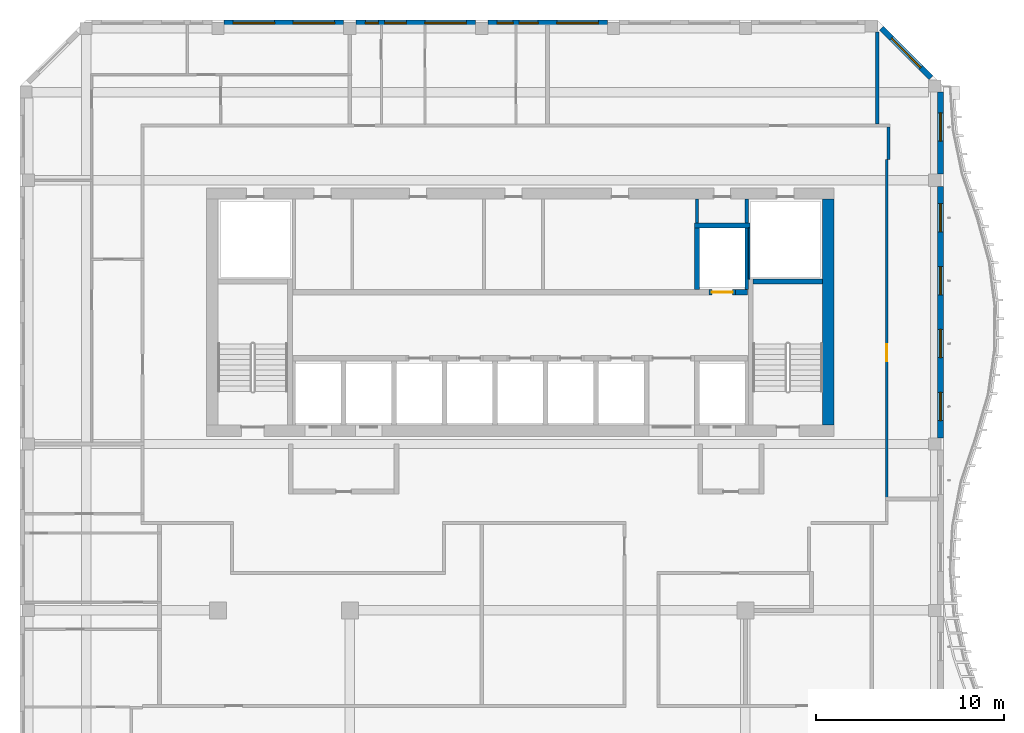
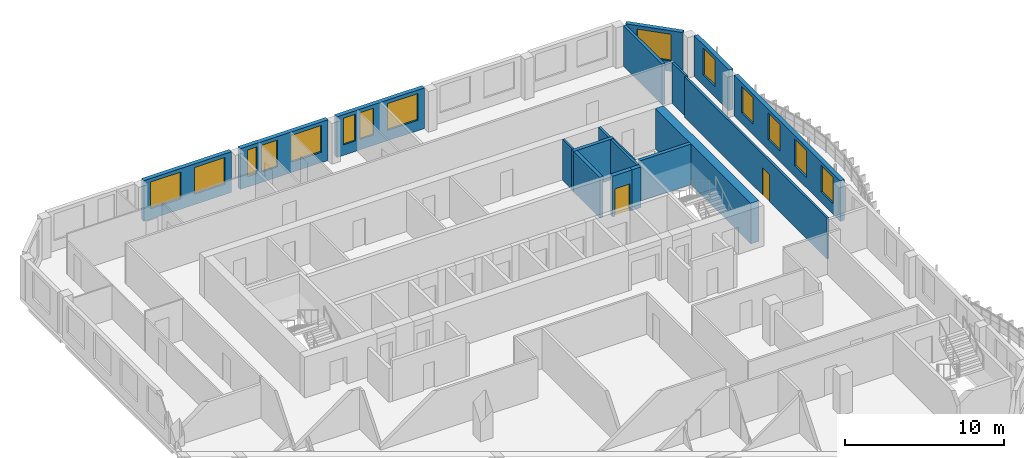
# One storey, part 8 of 18: 19 walls, 14 windows, 2 doors, 16 openings.
"""IFC4 building model written with IfcOpenShell, lengths in metres."""

import ifcopenshell
import ifcopenshell.guid

model = None  # the IFC model being written
_history = None  # IfcOwnerHistory: only IFC2X3 demands one
_inside = {}  # id of a spatial element -> (the spatial element, [elements in it])
_under = {}  # id of a project, library or spatial element -> (it, [spatial elements below it])
_declared = {}  # id of a project -> (the project, [libraries it declares])
_typed = {}  # id of a type object -> (the type object, [elements of that type])
_made_of = {}  # id of a material, layer set ... -> (it, [elements and type objects made of it])


def new_model(schema):
    """Start an empty IFC model of exactly this schema.

    Asked for "IFC4X3", IfcOpenShell would pick the latest addendum, in which some entities
    have other attributes; the version numbers below select the first issue.
    IFC2X3 requires an IfcOwnerHistory on every rooted entity: one is made here for all.
    """
    global model, _history
    if schema == "IFC4X3":
        model = ifcopenshell.file(schema_version=(4, 3, 0, 0))
    else:
        model = ifcopenshell.file(schema=schema)
    _inside.clear()
    _under.clear()
    _declared.clear()
    _typed.clear()
    _made_of.clear()
    _history = None
    if model.schema == "IFC2X3":
        org = make("IfcOrganization", Name="unknown")
        user = make(
            "IfcPersonAndOrganization",
            ThePerson=make("IfcPerson", FamilyName="unknown"),
            TheOrganization=org,
        )
        app = make(
            "IfcApplication",
            ApplicationDeveloper=org,
            Version="unknown",
            ApplicationFullName="unknown",
            ApplicationIdentifier="unknown",
        )
        _history = make(
            "IfcOwnerHistory",
            OwningUser=user,
            OwningApplication=app,
            ChangeAction="ADDED",
            CreationDate=0,
        )
    return model


def make(cls, **values):
    """One entity of the class cls with the attributes given. An attribute that is None is left unset."""
    return model.create_entity(
        cls, **{name: value for name, value in values.items() if value is not None}
    )


def rooted(cls, **values):
    """An entity with a GlobalId (a new one), such as an element, a storey or a relation."""
    return make(cls, GlobalId=ifcopenshell.guid.new(), OwnerHistory=_history, **values)


def si_unit(unit_type, name, prefix=None):
    """IfcSIUnit, for example si_unit("LENGTHUNIT", "METRE", prefix="MILLI")."""
    return make("IfcSIUnit", UnitType=unit_type, Prefix=prefix, Name=name)


def assignment(units):
    """IfcUnitAssignment: the units of a project."""
    return None if units is None else make("IfcUnitAssignment", Units=units)


def point(xyz):
    """IfcCartesianPoint."""
    return None if xyz is None else make("IfcCartesianPoint", Coordinates=xyz)


def direction(xyz):
    """IfcDirection."""
    return None if xyz is None else make("IfcDirection", DirectionRatios=xyz)


def frame(location, z_axis=None, x_axis=None):
    """IfcAxis2Placement3D, a coordinate frame: its origin and axes. An axis left out is left unset."""
    return make(
        "IfcAxis2Placement3D",
        Location=point(location),
        Axis=direction(z_axis),
        RefDirection=direction(x_axis),
    )


def frame_2d(location, x_axis=None):
    """IfcAxis2Placement2D, a coordinate frame in the plane: its origin and x axis."""
    return make(
        "IfcAxis2Placement2D", Location=point(location), RefDirection=direction(x_axis)
    )


def origin():
    """The frame at (0, 0, 0) with its axes left unset."""
    return frame((0.0, 0.0, 0.0))


def place(relative_to, where):
    """IfcLocalPlacement: puts the frame where relative to a parent placement (None: the world)."""
    return make(
        "IfcLocalPlacement", PlacementRelTo=relative_to, RelativePlacement=where
    )


def context(
    kind, dimensions, precision=None, world=None, true_north=None, identifier=None
):
    """IfcGeometricRepresentationContext, for example the 3D "Model" context."""
    return make(
        "IfcGeometricRepresentationContext",
        ContextIdentifier=identifier,
        ContextType=kind,
        CoordinateSpaceDimension=dimensions,
        Precision=precision,
        WorldCoordinateSystem=world,
        TrueNorth=true_north,
    )


def subcontext(parent, identifier, kind, view, scale=None):
    """IfcGeometricRepresentationSubContext, for example "Body" below "Model"."""
    return make(
        "IfcGeometricRepresentationSubContext",
        ContextIdentifier=identifier,
        ContextType=kind,
        ParentContext=parent,
        TargetScale=scale,
        TargetView=view,
    )


def project(units=None, contexts=None):
    """IfcProject with its units and contexts."""
    return rooted(
        "IfcProject",
        Name="project",
        RepresentationContexts=contexts,
        UnitsInContext=assignment(units),
    )


def spatial(cls, under=None, at=None, **own):
    """A site, building, storey or space (cls), placed at a placement, below another one or the project."""
    s = rooted(cls, ObjectPlacement=at, **own)
    if under is not None:
        _under.setdefault(under.id(), (under, []))[1].append(s)
    return s


def profile(cls, at=None, kind="AREA", **sizes):
    """A parametric profile (cls). Its sizes go by their IFC names, for example OverallWidth=200.0."""
    return make(cls, ProfileType=kind, Position=at, **sizes)


def rectangle(**sizes):
    """IfcRectangleProfileDef."""
    return profile("IfcRectangleProfileDef", **sizes)


def extrude(swept, where, along, depth):
    """IfcExtrudedAreaSolid: the profile swept, set in the frame where, extruded along a direction by depth."""
    return make(
        "IfcExtrudedAreaSolid",
        SweptArea=swept,
        Position=where,
        ExtrudedDirection=direction(along),
        Depth=depth,
    )


def shape(context_of_items, identifier, shape_type, items):
    """IfcShapeRepresentation: the items that make up one representation, for example the "Body"."""
    return make(
        "IfcShapeRepresentation",
        ContextOfItems=context_of_items,
        RepresentationIdentifier=identifier,
        RepresentationType=shape_type,
        Items=items,
    )


def source(mapping_origin, context_of_items, identifier, shape_type, items):
    """IfcRepresentationMap: a shape defined once, which mapped items show again and again."""
    return make(
        "IfcRepresentationMap",
        MappingOrigin=mapping_origin,
        MappedRepresentation=shape(context_of_items, identifier, shape_type, items),
    )


def transform(
    local_origin,
    x_axis=None,
    y_axis=None,
    z_axis=None,
    scale=None,
    scale2=None,
    scale3=None,
    uniform=True,
):
    """IfcCartesianTransformationOperator3D, or its non-uniform kind. x_axis, y_axis, z_axis: its Axis1, 2, 3."""
    if uniform:
        return make(
            "IfcCartesianTransformationOperator3D",
            Axis1=direction(x_axis),
            Axis2=direction(y_axis),
            LocalOrigin=point(local_origin),
            Scale=scale,
            Axis3=direction(z_axis),
        )
    return make(
        "IfcCartesianTransformationOperator3DnonUniform",
        Axis1=direction(x_axis),
        Axis2=direction(y_axis),
        LocalOrigin=point(local_origin),
        Scale=scale,
        Axis3=direction(z_axis),
        Scale2=scale2,
        Scale3=scale3,
    )


def mapped(mapping_source, mapping_target):
    """IfcMappedItem: shows the shape of a source again, moved by a transform."""
    return make(
        "IfcMappedItem", MappingSource=mapping_source, MappingTarget=mapping_target
    )


def material(Name=None, Category=None):
    """IfcMaterial."""
    return make("IfcMaterial", Name=Name, Category=Category)


def layer(
    of_material, thickness, ventilated=None, Name=None, Category=None, Priority=None
):
    """IfcMaterialLayer: one layer of a wall or slab, of a material (None: an air gap)."""
    return make(
        "IfcMaterialLayer",
        Material=of_material,
        LayerThickness=thickness,
        IsVentilated=ventilated,
        Name=Name,
        Category=Category,
        Priority=Priority,
    )


def layer_set(layers, Name=None):
    """IfcMaterialLayerSet."""
    return make("IfcMaterialLayerSet", MaterialLayers=layers, LayerSetName=Name)


def made_of(thing, what):
    """Note that an element or type object is made of a material, layer set ...; save() writes the relation."""
    if what is not None:
        _made_of.setdefault(what.id(), (what, []))[1].append(thing)
    return thing


def type_object(cls, material=None, **own):
    """A type object (cls), such as IfcWallType, which elements share."""
    return made_of(rooted(cls, **own), material)


def element(
    cls,
    number,
    at=None,
    inside=None,
    cuts=None,
    type_object=None,
    material=None,
    context=None,
    identifier="Body",
    shape_type=None,
    held_by="IfcProductDefinitionShape",
    body=None,
    shapes=None,
    **own,
):
    """One element of the class cls, such as IfcWall. Its Tag is "e" and its number.

    at: its placement. inside: the storey or other place that contains it. cuts: it is an
    opening in that element (IfcRelVoidsElement). A single representation is given by context,
    identifier, shape_type and body (its items); several are given by shapes. held_by: the class
    of the entity that holds the representations. save() writes the other relations.
    """
    e = rooted(cls, Tag="e%d" % number, ObjectPlacement=at, **own)
    if body is not None:
        shapes = [shape(context, identifier, shape_type, body)]
    if shapes is not None:
        e.Representation = make(held_by, Representations=shapes)
    if inside is not None:
        _inside.setdefault(inside.id(), (inside, []))[1].append(e)
    if cuts is not None:
        rooted(
            "IfcRelVoidsElement", RelatingBuildingElement=cuts, RelatedOpeningElement=e
        )
    if type_object is not None:
        _typed.setdefault(type_object.id(), (type_object, []))[1].append(e)
    return made_of(e, material)


def fill(opening, filler):
    """IfcRelFillsElement: the door or window that sits in an opening."""
    return rooted(
        "IfcRelFillsElement",
        RelatingOpeningElement=opening,
        RelatedBuildingElement=filler,
    )


def aggregate(whole, parts):
    """IfcRelAggregates: a whole, such as a stair, and the parts it consists of."""
    return rooted("IfcRelAggregates", RelatingObject=whole, RelatedObjects=parts)


def save(model, path):
    """Write the relations noted so far, then the file.

    IfcRelAggregates (storeys below a building ...), IfcRelContainedInSpatialStructure (elements
    in a storey), IfcRelDefinesByType, IfcRelAssociatesMaterial and IfcRelDeclares: one each for
    every whole, place, type object, material and project.
    """
    for whole, parts in _under.values():
        aggregate(whole, parts)
    for where, things in _inside.values():
        rooted(
            "IfcRelContainedInSpatialStructure",
            RelatedElements=things,
            RelatingStructure=where,
        )
    for kind, things in _typed.values():
        rooted("IfcRelDefinesByType", RelatedObjects=things, RelatingType=kind)
    for what, things in _made_of.values():
        rooted("IfcRelAssociatesMaterial", RelatedObjects=things, RelatingMaterial=what)
    for by, libraries in _declared.values():
        rooted("IfcRelDeclares", RelatingContext=by, RelatedDefinitions=libraries)
    model.write(path)


model = new_model("IFC4")

# Units and contexts
model_context = context("Model", 3, precision=1e-05, world=origin(), true_north=direction((0.0, 1.0)))
body_context = subcontext(model_context, "Body", "Model", "MODEL_VIEW")
ifc_project = project(units=[si_unit("LENGTHUNIT", "METRE"), si_unit("AREAUNIT", "SQUARE_METRE"), si_unit("VOLUMEUNIT", "CUBIC_METRE"), si_unit("PLANEANGLEUNIT", "RADIAN"), si_unit("MASSUNIT", "GRAM", prefix="KILO")], contexts=[model_context])

# Site, building, storey
site_placement = place(None, origin())
site = spatial("IfcSite", under=ifc_project, at=site_placement, CompositionType="ELEMENT")
building_placement = place(site_placement, origin())
building = spatial("IfcBuilding", under=site, at=building_placement, Name="Kilnfold Tower and Market Hall", CompositionType="ELEMENT")
storey_placement = place(building_placement, frame((0.0, 0.0, 277.199951171875)))
storey = spatial("IfcBuildingStorey", under=building, at=storey_placement, Name="L68", CompositionType="ELEMENT", Elevation=277.199951171875)

# Wall
ifc_material_1 = material(Name="Gypsum board on steel studs", Category="steel")
ifc_layer_1 = layer(ifc_material_1, 0.14990234375)
ifc_layer_set_1 = layer_set([ifc_layer_1], Name="Gypsum board on steel studs")
wall_type_1 = type_object("IfcWallType", Name="WALL CORRIDOR 150", PredefinedType="PARTITIONING", material=ifc_layer_set_1)
wall_1_placement = place(storey_placement, frame((20.60009765625, 23.10009765625, 0.0), z_axis=(0.0, 0.0, 1.0), x_axis=(0.0, 1.0, 0.0)))
element("IfcWall", 1, at=wall_1_placement, inside=storey, type_object=wall_type_1, Name="Partition LY42.18", PredefinedType="PARTITIONING", context=body_context, shape_type="SweptSolid", body=[
    extrude(rectangle(XDim=1.724853515625, YDim=0.14990234375, at=frame_2d((0.8623046875, 0.0))), origin(), (0.0, 0.0, 1.0), 3.1201171875),
])

# Wall, opening, door
wall_2_placement = place(storey_placement, frame((20.5, 5.173095703125, 0.0), z_axis=(0.0, 0.0, 1.0), x_axis=(0.0, 1.0, 0.0)))
wall_2 = element("IfcWall", 2, at=wall_2_placement, inside=storey, type_object=wall_type_1, Name="Partition LY42.19", PredefinedType="PARTITIONING", context=body_context, shape_type="SweptSolid", body=[
    extrude(rectangle(XDim=17.927001953125, YDim=0.14990234375, at=frame_2d((8.96337890625, 0.0))), origin(), (0.0, 0.0, 1.0), 3.1201171875),
])
opening_1_placement = place(wall_2_placement, frame((7.2109375, 0.0, 0.0)))
opening_1 = element("IfcOpeningElement", 3, at=opening_1_placement, cuts=wall_2, Name="Opening D2", PredefinedType="OPENING", context=body_context, shape_type="SweptSolid", body=[
    extrude(rectangle(XDim=0.89990234375, YDim=2.10009765625, at=frame_2d((0.449951171875, 1.050048828125))), frame((0.0, 0.0849609375, 0.0), z_axis=(0.0, -1.0, 0.0), x_axis=(1.0, 0.0, 0.0)), (0.0, 0.0, 1.0), 0.169921875),
])
ifc_material_2 = material(Name="Timber veneer door leaf in steel frame", Category="steel")
door_type_1 = type_object("IfcDoorType", Name="DOOR ROOM 900 X2100", OperationType="NOTDEFINED", PredefinedType="DOOR", material=ifc_material_2)
door_1_placement = place(opening_1_placement, origin())
door_1 = element("IfcDoor", 4, at=door_1_placement, inside=storey, type_object=door_type_1, Name="Door D2", OperationType="SINGLE_SWING_LEFT", OverallHeight=2.10009765625, OverallWidth=0.89990234375, PredefinedType="DOOR", context=body_context, shape_type="SweptSolid", body=[
    extrude(rectangle(XDim=0.89990234375, YDim=2.10009765625, at=frame_2d((0.449951171875, 1.050048828125))), frame((0.0, 0.02490234375, 0.0), z_axis=(0.0, -1.0, 0.0), x_axis=(1.0, 0.0, 0.0)), (0.0, 0.0, 1.0), 0.050048828125),
])
fill(opening_1, door_1)

# Walls
ifc_material_3 = material(Name="Gypsum board on steel studs", Category="steel")
ifc_layer_2 = layer(ifc_material_3, 0.199951171875)
ifc_layer_set_2 = layer_set([ifc_layer_2], Name="Gypsum board on steel studs")
wall_type_2 = type_object("IfcWallType", Name="WALL PARTY 200", PredefinedType="PARTITIONING", material=ifc_layer_set_2)
wall_3_placement = place(storey_placement, frame((20.0, 29.85693359375, 0.0), z_axis=(0.0, 0.0, 1.0), x_axis=(0.0, -1.0, 0.0)))
element("IfcWall", 5, at=wall_3_placement, inside=storey, type_object=wall_type_2, Name="Partition LY42.64", PredefinedType="PARTITIONING", context=body_context, shape_type="SweptSolid", body=[
    extrude(rectangle(XDim=4.8798828125, YDim=0.199951171875, at=frame_2d((2.43994140625, 0.0))), origin(), (0.0, 0.0, 1.0), 3.1201171875),
])
ifc_material_4 = material(Name="Concrete C50", Category="concrete")
ifc_layer_3 = layer(ifc_material_4, 0.25)
ifc_layer_set_3 = layer_set([ifc_layer_3], Name="Concrete C50")
wall_type_3 = type_object("IfcWallType", Name="CORE WALL 250 C50", PredefinedType="SHEAR", material=ifc_layer_set_3)
shared_shape_1 = source(origin(), body_context, "Body", "SweptSolid", [
    extrude(rectangle(XDim=3.7001953125, YDim=0.25, at=frame_2d((1.85009765625, 0.0))), origin(), (0.0, 0.0, 1.0), 3.1201171875),
])
wall_4_placement = place(storey_placement, frame((13.39990234375, 16.625, 0.0), z_axis=(0.0, 0.0, 1.0), x_axis=(1.0, 0.0, 0.0)))
element("IfcWall", 6, at=wall_4_placement, inside=storey, type_object=wall_type_3, Name="Stair enclosure ST2", PredefinedType="SHEAR", context=body_context, shape_type="MappedRepresentation", body=[
    mapped(shared_shape_1, transform((0.0, 0.0, 0.0))),
])
ifc_material_5 = material(Name="Concrete C50", Category="concrete")
ifc_layer_4 = layer(ifc_material_5, 0.300048828125)
ifc_layer_set_4 = layer_set([ifc_layer_4], Name="Concrete C50")
wall_type_4 = type_object("IfcWallType", Name="CORE WALL 300 C50", PredefinedType="SHEAR", material=ifc_layer_set_4)
shared_shape_2 = source(origin(), body_context, "Body", "SweptSolid", [
    extrude(rectangle(XDim=0.64013671875, YDim=0.300048828125, at=frame_2d((0.320068359375, 0.0))), origin(), (0.0, 0.0, 1.0), 3.1201171875),
])
wall_5_placement = place(storey_placement, frame((12.469970703125, 16.050048828125, 0.0), z_axis=(0.0, 0.0, 1.0), x_axis=(1.0, 0.0, 0.0)))
element("IfcWall", 7, at=wall_5_placement, inside=storey, type_object=wall_type_4, Name="Core spine wall", PredefinedType="SHEAR", context=body_context, shape_type="MappedRepresentation", body=[
    mapped(shared_shape_2, transform((0.0, 0.0, 0.0))),
])
ifc_material_6 = material(Name="Concrete C50", Category="concrete")
ifc_layer_5 = layer(ifc_material_6, 0.60009765625)
ifc_layer_set_5 = layer_set([ifc_layer_5], Name="Concrete C50")
wall_type_5 = type_object("IfcWallType", Name="CORE WALL 600 C50", PredefinedType="SHEAR", material=ifc_layer_set_5)
shared_shape_3 = source(origin(), body_context, "Body", "SweptSolid", [
    extrude(rectangle(XDim=12.0, YDim=0.60009765625, at=frame_2d((6.0, 0.0))), origin(), (0.0, 0.0, 1.0), 3.1201171875),
])
wall_6_placement = place(storey_placement, frame((17.39990234375, 9.0, 0.0), z_axis=(0.0, 0.0, 1.0), x_axis=(0.0, 1.0, 0.0)))
element("IfcWall", 8, at=wall_6_placement, inside=storey, type_object=wall_type_5, Name="Core outer wall east", PredefinedType="SHEAR", context=body_context, shape_type="MappedRepresentation", body=[
    mapped(shared_shape_3, transform((0.0, 0.0, 0.0))),
])

# Wall, openings, windows
ifc_material_7 = material(Name="Precast concrete C50/60", Category="concrete")
ifc_layer_6 = layer(ifc_material_7, 0.300048828125)
ifc_layer_set_6 = layer_set([ifc_layer_6], Name="Precast concrete C50/60")
wall_type_6 = type_object("IfcWallType", Name="PRECAST WALL 300", PredefinedType="SOLIDWALL", material=ifc_layer_set_6)
shared_shape_4 = source(origin(), body_context, "Body", "SweptSolid", [
    extrude(rectangle(XDim=6.35009765625, YDim=0.300048828125, at=frame_2d((3.175048828125, 0.0))), origin(), (0.0, 0.0, 1.0), 3.1201171875),
])
wall_7_placement = place(storey_placement, frame((5.675048828125, 30.35009765625, 0.0), z_axis=(0.0, 0.0, 1.0), x_axis=(-1.0, 0.0, 0.0)))
wall_7 = element("IfcWall", 9, at=wall_7_placement, inside=storey, type_object=wall_type_6, Name="External wall L68 N", PredefinedType="SOLIDWALL", context=body_context, shape_type="MappedRepresentation", body=[
    mapped(shared_shape_4, transform((0.0, 0.0, 0.0))),
])
opening_2_placement = place(wall_7_placement, frame((0.487548828125, 0.0, 0.800048828125)))
opening_2 = element("IfcOpeningElement", 10, at=opening_2_placement, cuts=wall_7, Name="Opening W3", PredefinedType="OPENING", context=body_context, shape_type="SweptSolid", body=[
    extrude(rectangle(XDim=2.199951171875, YDim=2.050048828125, at=frame_2d((1.10009765625, 1.02490234375))), frame((0.0, 0.16015625, 0.0), z_axis=(0.0, -1.0, 0.0), x_axis=(1.0, 0.0, 0.0)), (0.0, 0.0, 1.0), 0.320068359375),
])
opening_3_placement = place(wall_7_placement, frame((3.68359375, 0.0, 0.800048828125)))
opening_3 = element("IfcOpeningElement", 11, at=opening_3_placement, cuts=wall_7, Name="Opening W3-A", PredefinedType="OPENING", context=body_context, shape_type="SweptSolid", body=[
    extrude(rectangle(XDim=1.0, YDim=2.050048828125, at=frame_2d((0.5, 1.02490234375))), frame((0.0, 0.16015625, 0.0), z_axis=(0.0, -1.0, 0.0), x_axis=(1.0, 0.0, 0.0)), (0.0, 0.0, 1.0), 0.320068359375),
])
opening_4_placement = place(wall_7_placement, frame((5.0087890625, 0.0, 0.800048828125)))
opening_4 = element("IfcOpeningElement", 12, at=opening_4_placement, cuts=wall_7, Name="Opening W3-B", PredefinedType="OPENING", context=body_context, shape_type="SweptSolid", body=[
    extrude(rectangle(XDim=0.85009765625, YDim=2.050048828125, at=frame_2d((0.425048828125, 1.02490234375))), frame((0.0, 0.16015625, 0.0), z_axis=(0.0, -1.0, 0.0), x_axis=(1.0, 0.0, 0.0)), (0.0, 0.0, 1.0), 0.320068359375),
])
ifc_material_8 = material(Name="Aluminium frame and double glazing", Category="aluminium")
window_type_1 = type_object("IfcWindowType", Name="WINDOW W3 2200X2050", PartitioningType="SINGLE_PANEL", PredefinedType="WINDOW", material=ifc_material_8)
window_1_placement = place(opening_2_placement, origin())
window_1 = element("IfcWindow", 13, at=window_1_placement, inside=storey, type_object=window_type_1, Name="Window W3 L68 N-1", OverallHeight=2.050048828125, OverallWidth=2.199951171875, PartitioningType="SINGLE_PANEL", PredefinedType="WINDOW", context=body_context, shape_type="SweptSolid", body=[
    extrude(rectangle(XDim=2.199951171875, YDim=2.050048828125, at=frame_2d((1.10009765625, 1.02490234375))), frame((0.0, 0.030029296875, 0.0), z_axis=(0.0, -1.0, 0.0), x_axis=(1.0, 0.0, 0.0)), (0.0, 0.0, 1.0), 0.06005859375),
])
fill(opening_2, window_1)
ifc_material_9 = material(Name="Aluminium frame and double glazing", Category="aluminium")
window_type_2 = type_object("IfcWindowType", Name="WINDOW W3-A 1000X2050", PartitioningType="SINGLE_PANEL", PredefinedType="WINDOW", material=ifc_material_9)
window_2_placement = place(opening_3_placement, origin())
window_2 = element("IfcWindow", 14, at=window_2_placement, inside=storey, type_object=window_type_2, Name="Window W3-A L68 N-2", OverallHeight=2.050048828125, OverallWidth=1.0, PartitioningType="SINGLE_PANEL", PredefinedType="WINDOW", context=body_context, shape_type="SweptSolid", body=[
    extrude(rectangle(XDim=1.0, YDim=2.050048828125, at=frame_2d((0.5, 1.02490234375))), frame((0.0, 0.030029296875, 0.0), z_axis=(0.0, -1.0, 0.0), x_axis=(1.0, 0.0, 0.0)), (0.0, 0.0, 1.0), 0.06005859375),
])
fill(opening_3, window_2)
ifc_material_10 = material(Name="Aluminium frame and double glazing", Category="aluminium")
window_type_3 = type_object("IfcWindowType", Name="WINDOW W3-B 850X2050", PartitioningType="SINGLE_PANEL", PredefinedType="WINDOW", material=ifc_material_10)
window_3_placement = place(opening_4_placement, origin())
window_3 = element("IfcWindow", 15, at=window_3_placement, inside=storey, type_object=window_type_3, Name="Window W3-A L68 N-2", OverallHeight=2.050048828125, OverallWidth=0.85009765625, PartitioningType="SINGLE_PANEL", PredefinedType="WINDOW", context=body_context, shape_type="SweptSolid", body=[
    extrude(rectangle(XDim=0.85009765625, YDim=2.050048828125, at=frame_2d((0.425048828125, 1.02490234375))), frame((0.0, 0.030029296875, 0.0), z_axis=(0.0, -1.0, 0.0), x_axis=(1.0, 0.0, 0.0)), (0.0, 0.0, 1.0), 0.06005859375),
])
fill(opening_4, window_3)

wall_8_placement = place(storey_placement, frame((-1.324951171875, 30.35009765625, 0.0), z_axis=(0.0, 0.0, 1.0), x_axis=(-1.0, 0.0, 0.0)))
wall_8 = element("IfcWall", 16, at=wall_8_placement, inside=storey, type_object=wall_type_6, Name="External wall L68 N", PredefinedType="SOLIDWALL", context=body_context, shape_type="MappedRepresentation", body=[
    mapped(shared_shape_4, transform((0.0, 0.0, 0.0))),
])
opening_5_placement = place(wall_8_placement, frame((0.487548828125, 0.0, 0.800048828125)))
opening_5 = element("IfcOpeningElement", 17, at=opening_5_placement, cuts=wall_8, Name="Opening W3", PredefinedType="OPENING", context=body_context, shape_type="SweptSolid", body=[
    extrude(rectangle(XDim=2.199951171875, YDim=2.050048828125, at=frame_2d((1.10009765625, 1.02490234375))), frame((0.0, 0.16015625, 0.0), z_axis=(0.0, -1.0, 0.0), x_axis=(1.0, 0.0, 0.0)), (0.0, 0.0, 1.0), 0.320068359375),
])
opening_6_placement = place(wall_8_placement, frame((3.6787109375, 0.0, 0.800048828125)))
opening_6 = element("IfcOpeningElement", 18, at=opening_6_placement, cuts=wall_8, Name="Opening W3-C", PredefinedType="OPENING", context=body_context, shape_type="SweptSolid", body=[
    extrude(rectangle(XDim=1.14990234375, YDim=2.050048828125, at=frame_2d((0.574951171875, 1.02490234375))), frame((0.0, 0.16015625, 0.0), z_axis=(0.0, -1.0, 0.0), x_axis=(1.0, 0.0, 0.0)), (0.0, 0.0, 1.0), 0.320068359375),
])
opening_7_placement = place(wall_8_placement, frame((5.15380859375, 0.0, 0.800048828125)))
opening_7 = element("IfcOpeningElement", 19, at=opening_7_placement, cuts=wall_8, Name="Opening W3-D", PredefinedType="OPENING", context=body_context, shape_type="SweptSolid", body=[
    extrude(rectangle(XDim=0.699951171875, YDim=2.050048828125, at=frame_2d((0.35009765625, 1.02490234375))), frame((0.0, 0.16015625, 0.0), z_axis=(0.0, -1.0, 0.0), x_axis=(1.0, 0.0, 0.0)), (0.0, 0.0, 1.0), 0.320068359375),
])
window_4_placement = place(opening_5_placement, origin())
window_4 = element("IfcWindow", 20, at=window_4_placement, inside=storey, type_object=window_type_1, Name="Window W3 L68 N-1", OverallHeight=2.050048828125, OverallWidth=2.199951171875, PartitioningType="SINGLE_PANEL", PredefinedType="WINDOW", context=body_context, shape_type="SweptSolid", body=[
    extrude(rectangle(XDim=2.199951171875, YDim=2.050048828125, at=frame_2d((1.10009765625, 1.02490234375))), frame((0.0, 0.030029296875, 0.0), z_axis=(0.0, -1.0, 0.0), x_axis=(1.0, 0.0, 0.0)), (0.0, 0.0, 1.0), 0.06005859375),
])
fill(opening_5, window_4)
ifc_material_11 = material(Name="Aluminium frame and double glazing", Category="aluminium")
window_type_4 = type_object("IfcWindowType", Name="WINDOW W3-C 1150X2050", PartitioningType="SINGLE_PANEL", PredefinedType="WINDOW", material=ifc_material_11)
window_5_placement = place(opening_6_placement, origin())
window_5 = element("IfcWindow", 21, at=window_5_placement, inside=storey, type_object=window_type_4, Name="Window W3-C L68 N-2", OverallHeight=2.050048828125, OverallWidth=1.14990234375, PartitioningType="SINGLE_PANEL", PredefinedType="WINDOW", context=body_context, shape_type="SweptSolid", body=[
    extrude(rectangle(XDim=1.14990234375, YDim=2.050048828125, at=frame_2d((0.574951171875, 1.02490234375))), frame((0.0, 0.030029296875, 0.0), z_axis=(0.0, -1.0, 0.0), x_axis=(1.0, 0.0, 0.0)), (0.0, 0.0, 1.0), 0.06005859375),
])
fill(opening_6, window_5)
ifc_material_12 = material(Name="Aluminium frame and double glazing", Category="aluminium")
window_type_5 = type_object("IfcWindowType", Name="WINDOW W3-D 700X2050", PartitioningType="SINGLE_PANEL", PredefinedType="WINDOW", material=ifc_material_12)
window_6_placement = place(opening_7_placement, origin())
window_6 = element("IfcWindow", 22, at=window_6_placement, inside=storey, type_object=window_type_5, Name="Window W3-C L68 N-2", OverallHeight=2.050048828125, OverallWidth=0.699951171875, PartitioningType="SINGLE_PANEL", PredefinedType="WINDOW", context=body_context, shape_type="SweptSolid", body=[
    extrude(rectangle(XDim=0.699951171875, YDim=2.050048828125, at=frame_2d((0.35009765625, 1.02490234375))), frame((0.0, 0.030029296875, 0.0), z_axis=(0.0, -1.0, 0.0), x_axis=(1.0, 0.0, 0.0)), (0.0, 0.0, 1.0), 0.06005859375),
])
fill(opening_7, window_6)

wall_9_placement = place(storey_placement, frame((-8.324951171875, 30.35009765625, 0.0), z_axis=(0.0, 0.0, 1.0), x_axis=(-1.0, 0.0, 0.0)))
wall_9 = element("IfcWall", 23, at=wall_9_placement, inside=storey, type_object=wall_type_6, Name="External wall L68 N", PredefinedType="SOLIDWALL", context=body_context, shape_type="MappedRepresentation", body=[
    mapped(shared_shape_4, transform((0.0, 0.0, 0.0))),
])
opening_8_placement = place(wall_9_placement, frame((0.487548828125, 0.0, 0.800048828125)))
opening_8 = element("IfcOpeningElement", 24, at=opening_8_placement, cuts=wall_9, Name="Opening W3", PredefinedType="OPENING", context=body_context, shape_type="SweptSolid", body=[
    extrude(rectangle(XDim=2.199951171875, YDim=2.050048828125, at=frame_2d((1.10009765625, 1.02490234375))), frame((0.0, 0.16015625, 0.0), z_axis=(0.0, -1.0, 0.0), x_axis=(1.0, 0.0, 0.0)), (0.0, 0.0, 1.0), 0.320068359375),
])
opening_9_placement = place(wall_9_placement, frame((3.66259765625, 0.0, 0.800048828125)))
opening_9 = element("IfcOpeningElement", 25, at=opening_9_placement, cuts=wall_9, Name="Opening W3", PredefinedType="OPENING", context=body_context, shape_type="SweptSolid", body=[
    extrude(rectangle(XDim=2.199951171875, YDim=2.050048828125, at=frame_2d((1.10009765625, 1.02490234375))), frame((0.0, 0.16015625, 0.0), z_axis=(0.0, -1.0, 0.0), x_axis=(1.0, 0.0, 0.0)), (0.0, 0.0, 1.0), 0.320068359375),
])
window_7_placement = place(opening_8_placement, origin())
window_7 = element("IfcWindow", 26, at=window_7_placement, inside=storey, type_object=window_type_1, Name="Window W3 L68 N-1", OverallHeight=2.050048828125, OverallWidth=2.199951171875, PartitioningType="SINGLE_PANEL", PredefinedType="WINDOW", context=body_context, shape_type="SweptSolid", body=[
    extrude(rectangle(XDim=2.199951171875, YDim=2.050048828125, at=frame_2d((1.10009765625, 1.02490234375))), frame((0.0, 0.030029296875, 0.0), z_axis=(0.0, -1.0, 0.0), x_axis=(1.0, 0.0, 0.0)), (0.0, 0.0, 1.0), 0.06005859375),
])
fill(opening_8, window_7)
window_8_placement = place(opening_9_placement, origin())
window_8 = element("IfcWindow", 27, at=window_8_placement, inside=storey, type_object=window_type_1, Name="Window W3 L68 N-2", OverallHeight=2.050048828125, OverallWidth=2.199951171875, PartitioningType="SINGLE_PANEL", PredefinedType="WINDOW", context=body_context, shape_type="SweptSolid", body=[
    extrude(rectangle(XDim=2.199951171875, YDim=2.050048828125, at=frame_2d((1.10009765625, 1.02490234375))), frame((0.0, 0.030029296875, 0.0), z_axis=(0.0, -1.0, 0.0), x_axis=(1.0, 0.0, 0.0)), (0.0, 0.0, 1.0), 0.06005859375),
])
fill(opening_9, window_8)

# Wall, opening, window
shared_shape_5 = source(origin(), body_context, "Body", "SweptSolid", [
    extrude(rectangle(XDim=3.71240234375, YDim=0.300048828125, at=frame_2d((1.856201171875, 0.0))), origin(), (0.0, 0.0, 1.0), 3.1201171875),
])
wall_10_placement = place(storey_placement, frame((22.843994140625, 27.44384765625, 0.0), z_axis=(0.0, 0.0, 1.0), x_axis=(-0.707106781187, 0.707106781187, 0.0)))
wall_10 = element("IfcWall", 28, at=wall_10_placement, inside=storey, type_object=wall_type_6, Name="External wall L68 NE", PredefinedType="SOLIDWALL", context=body_context, shape_type="MappedRepresentation", body=[
    mapped(shared_shape_5, transform((0.0, 0.0, 0.0))),
])
opening_10_placement = place(wall_10_placement, frame((0.756103515625, 0.0, 0.800048828125)))
opening_10 = element("IfcOpeningElement", 29, at=opening_10_placement, cuts=wall_10, Name="Opening W3", PredefinedType="OPENING", context=body_context, shape_type="SweptSolid", body=[
    extrude(rectangle(XDim=2.199951171875, YDim=2.050048828125, at=frame_2d((1.10009765625, 1.02490234375))), frame((0.0, 0.16015625, 0.0), z_axis=(0.0, -1.0, 0.0), x_axis=(1.0, 0.0, 0.0)), (0.0, 0.0, 1.0), 0.320068359375),
])
window_9_placement = place(opening_10_placement, origin())
window_9 = element("IfcWindow", 30, at=window_9_placement, inside=storey, type_object=window_type_1, Name="Window W3 L68 NE-1", OverallHeight=2.050048828125, OverallWidth=2.199951171875, PartitioningType="SINGLE_PANEL", PredefinedType="WINDOW", context=body_context, shape_type="SweptSolid", body=[
    extrude(rectangle(XDim=2.199951171875, YDim=2.050048828125, at=frame_2d((1.10009765625, 1.02490234375))), frame((0.0, 0.030029296875, 0.0), z_axis=(0.0, -1.0, 0.0), x_axis=(1.0, 0.0, 0.0)), (0.0, 0.0, 1.0), 0.06005859375),
])
fill(opening_10, window_9)

# Wall, openings, windows
shared_shape_6 = source(origin(), body_context, "Body", "SweptSolid", [
    extrude(rectangle(XDim=13.35009765625, YDim=0.300048828125, at=frame_2d((6.675048828125, 0.0))), origin(), (0.0, 0.0, 1.0), 3.1201171875),
])
wall_11_placement = place(storey_placement, frame((23.35009765625, 8.324951171875, 0.0), z_axis=(0.0, 0.0, 1.0), x_axis=(0.0, 1.0, 0.0)))
wall_11 = element("IfcWall", 31, at=wall_11_placement, inside=storey, type_object=wall_type_6, Name="External wall L68 E", PredefinedType="SOLIDWALL", context=body_context, shape_type="MappedRepresentation", body=[
    mapped(shared_shape_6, transform((0.0, 0.0, 0.0))),
])
opening_11_placement = place(wall_11_placement, frame((0.918701171875, 0.0, 0.800048828125)))
opening_11 = element("IfcOpeningElement", 32, at=opening_11_placement, cuts=wall_11, Name="Opening W5", PredefinedType="OPENING", context=body_context, shape_type="SweptSolid", body=[
    extrude(rectangle(XDim=1.5, YDim=2.050048828125, at=frame_2d((0.75, 1.02490234375))), frame((0.0, 0.16015625, 0.0), z_axis=(0.0, -1.0, 0.0), x_axis=(1.0, 0.0, 0.0)), (0.0, 0.0, 1.0), 0.320068359375),
])
opening_12_placement = place(wall_11_placement, frame((4.25634765625, 0.0, 0.800048828125)))
opening_12 = element("IfcOpeningElement", 33, at=opening_12_placement, cuts=wall_11, Name="Opening W5", PredefinedType="OPENING", context=body_context, shape_type="SweptSolid", body=[
    extrude(rectangle(XDim=1.5, YDim=2.050048828125, at=frame_2d((0.75, 1.02490234375))), frame((0.0, 0.16015625, 0.0), z_axis=(0.0, -1.0, 0.0), x_axis=(1.0, 0.0, 0.0)), (0.0, 0.0, 1.0), 0.320068359375),
])
opening_13_placement = place(wall_11_placement, frame((7.59375, 0.0, 0.800048828125)))
opening_13 = element("IfcOpeningElement", 34, at=opening_13_placement, cuts=wall_11, Name="Opening W5", PredefinedType="OPENING", context=body_context, shape_type="SweptSolid", body=[
    extrude(rectangle(XDim=1.5, YDim=2.050048828125, at=frame_2d((0.75, 1.02490234375))), frame((0.0, 0.16015625, 0.0), z_axis=(0.0, -1.0, 0.0), x_axis=(1.0, 0.0, 0.0)), (0.0, 0.0, 1.0), 0.320068359375),
])
opening_14_placement = place(wall_11_placement, frame((10.93115234375, 0.0, 0.800048828125)))
opening_14 = element("IfcOpeningElement", 35, at=opening_14_placement, cuts=wall_11, Name="Opening W5", PredefinedType="OPENING", context=body_context, shape_type="SweptSolid", body=[
    extrude(rectangle(XDim=1.5, YDim=2.050048828125, at=frame_2d((0.75, 1.02490234375))), frame((0.0, 0.16015625, 0.0), z_axis=(0.0, -1.0, 0.0), x_axis=(1.0, 0.0, 0.0)), (0.0, 0.0, 1.0), 0.320068359375),
])
ifc_material_13 = material(Name="Aluminium frame and double glazing", Category="aluminium")
window_type_6 = type_object("IfcWindowType", Name="WINDOW W5 1500X2050", PartitioningType="SINGLE_PANEL", PredefinedType="WINDOW", material=ifc_material_13)
window_10_placement = place(opening_11_placement, origin())
window_10 = element("IfcWindow", 36, at=window_10_placement, inside=storey, type_object=window_type_6, Name="Window W5 L68 E-1", OverallHeight=2.050048828125, OverallWidth=1.5, PartitioningType="SINGLE_PANEL", PredefinedType="WINDOW", context=body_context, shape_type="SweptSolid", body=[
    extrude(rectangle(XDim=1.5, YDim=2.050048828125, at=frame_2d((0.75, 1.02490234375))), frame((0.0, 0.030029296875, 0.0), z_axis=(0.0, -1.0, 0.0), x_axis=(1.0, 0.0, 0.0)), (0.0, 0.0, 1.0), 0.06005859375),
])
fill(opening_11, window_10)
window_11_placement = place(opening_12_placement, origin())
window_11 = element("IfcWindow", 37, at=window_11_placement, inside=storey, type_object=window_type_6, Name="Window W5 L68 E-2", OverallHeight=2.050048828125, OverallWidth=1.5, PartitioningType="SINGLE_PANEL", PredefinedType="WINDOW", context=body_context, shape_type="SweptSolid", body=[
    extrude(rectangle(XDim=1.5, YDim=2.050048828125, at=frame_2d((0.75, 1.02490234375))), frame((0.0, 0.030029296875, 0.0), z_axis=(0.0, -1.0, 0.0), x_axis=(1.0, 0.0, 0.0)), (0.0, 0.0, 1.0), 0.06005859375),
])
fill(opening_12, window_11)
window_12_placement = place(opening_13_placement, origin())
window_12 = element("IfcWindow", 38, at=window_12_placement, inside=storey, type_object=window_type_6, Name="Window W5 L68 E-3", OverallHeight=2.050048828125, OverallWidth=1.5, PartitioningType="SINGLE_PANEL", PredefinedType="WINDOW", context=body_context, shape_type="SweptSolid", body=[
    extrude(rectangle(XDim=1.5, YDim=2.050048828125, at=frame_2d((0.75, 1.02490234375))), frame((0.0, 0.030029296875, 0.0), z_axis=(0.0, -1.0, 0.0), x_axis=(1.0, 0.0, 0.0)), (0.0, 0.0, 1.0), 0.06005859375),
])
fill(opening_13, window_12)
window_13_placement = place(opening_14_placement, origin())
window_13 = element("IfcWindow", 39, at=window_13_placement, inside=storey, type_object=window_type_6, Name="Window W5 L68 E-4", OverallHeight=2.050048828125, OverallWidth=1.5, PartitioningType="SINGLE_PANEL", PredefinedType="WINDOW", context=body_context, shape_type="SweptSolid", body=[
    extrude(rectangle(XDim=1.5, YDim=2.050048828125, at=frame_2d((0.75, 1.02490234375))), frame((0.0, 0.030029296875, 0.0), z_axis=(0.0, -1.0, 0.0), x_axis=(1.0, 0.0, 0.0)), (0.0, 0.0, 1.0), 0.06005859375),
])
fill(opening_14, window_13)

# Wall, opening, window
shared_shape_7 = source(origin(), body_context, "Body", "SweptSolid", [
    extrude(rectangle(XDim=4.35009765625, YDim=0.300048828125, at=frame_2d((2.175048828125, 0.0))), origin(), (0.0, 0.0, 1.0), 3.1201171875),
])
wall_12_placement = place(storey_placement, frame((23.35009765625, 22.324951171875, 0.0), z_axis=(0.0, 0.0, 1.0), x_axis=(0.0, 1.0, 0.0)))
wall_12 = element("IfcWall", 40, at=wall_12_placement, inside=storey, type_object=wall_type_6, Name="External wall L68 E", PredefinedType="SOLIDWALL", context=body_context, shape_type="MappedRepresentation", body=[
    mapped(shared_shape_7, transform((0.0, 0.0, 0.0))),
])
opening_15_placement = place(wall_12_placement, frame((1.75, 0.0, 0.800048828125)))
opening_15 = element("IfcOpeningElement", 41, at=opening_15_placement, cuts=wall_12, Name="Opening W5", PredefinedType="OPENING", context=body_context, shape_type="SweptSolid", body=[
    extrude(rectangle(XDim=1.5, YDim=2.050048828125, at=frame_2d((0.75, 1.02490234375))), frame((0.0, 0.16015625, 0.0), z_axis=(0.0, -1.0, 0.0), x_axis=(1.0, 0.0, 0.0)), (0.0, 0.0, 1.0), 0.320068359375),
])
window_14_placement = place(opening_15_placement, origin())
window_14 = element("IfcWindow", 42, at=window_14_placement, inside=storey, type_object=window_type_6, Name="Window W5 L68 E-1", OverallHeight=2.050048828125, OverallWidth=1.5, PartitioningType="SINGLE_PANEL", PredefinedType="WINDOW", context=body_context, shape_type="SweptSolid", body=[
    extrude(rectangle(XDim=1.5, YDim=2.050048828125, at=frame_2d((0.75, 1.02490234375))), frame((0.0, 0.030029296875, 0.0), z_axis=(0.0, -1.0, 0.0), x_axis=(1.0, 0.0, 0.0)), (0.0, 0.0, 1.0), 0.06005859375),
])
fill(opening_15, window_14)

# Wall, opening, door
ifc_material_14 = material(Name="Gypsum shaft wall system")
ifc_layer_7 = layer(ifc_material_14, 0.300048828125)
ifc_layer_set_7 = layer_set([ifc_layer_7], Name="Gypsum shaft wall system")
wall_type_7 = type_object("IfcWallType", Name="SHAFT WALL 300", PredefinedType="PARTITIONING", material=ifc_layer_set_7)
shared_shape_8 = source(origin(), body_context, "Body", "SweptSolid", [
    extrude(rectangle(XDim=1.39990234375, YDim=0.300048828125, at=frame_2d((0.699951171875, 0.0))), origin(), (0.0, 0.0, 1.0), 3.1201171875),
])
wall_13_placement = place(storey_placement, frame((11.070068359375, 16.050048828125, 0.0), z_axis=(0.0, 0.0, 1.0), x_axis=(1.0, 0.0, 0.0)))
wall_13 = element("IfcWall", 43, at=wall_13_placement, inside=storey, type_object=wall_type_7, Name="Lift shaft front wall", PredefinedType="PARTITIONING", context=body_context, shape_type="MappedRepresentation", body=[
    mapped(shared_shape_8, transform((0.0, 0.0, 0.0))),
])
opening_16_placement = place(wall_13_placement, frame((0.14990234375, 0.0, 0.0)))
opening_16 = element("IfcOpeningElement", 44, at=opening_16_placement, cuts=wall_13, Name="Opening LD2", PredefinedType="OPENING", context=body_context, shape_type="SweptSolid", body=[
    extrude(rectangle(XDim=1.10009765625, YDim=2.10009765625, at=frame_2d((0.550048828125, 1.050048828125))), frame((0.0, 0.16015625, 0.0), z_axis=(0.0, -1.0, 0.0), x_axis=(1.0, 0.0, 0.0)), (0.0, 0.0, 1.0), 0.320068359375),
])
ifc_material_15 = material(Name="Steel door set with fire-resisting leaf", Category="steel")
door_type_2 = type_object("IfcDoorType", Name="LANDING DOOR 1100X2100", OperationType="NOTDEFINED", PredefinedType="DOOR", material=ifc_material_15)
door_2_placement = place(opening_16_placement, origin())
door_2 = element("IfcDoor", 45, at=door_2_placement, inside=storey, type_object=door_type_2, Name="Landing door HR6", OperationType="DOUBLE_DOOR_SLIDING", OverallHeight=2.10009765625, OverallWidth=1.10009765625, PredefinedType="DOOR", context=body_context, shape_type="SweptSolid", body=[
    extrude(rectangle(XDim=1.10009765625, YDim=2.10009765625, at=frame_2d((0.550048828125, 1.050048828125))), frame((0.0, 0.02490234375, 0.0), z_axis=(0.0, -1.0, 0.0), x_axis=(1.0, 0.0, 0.0)), (0.0, 0.0, 1.0), 0.050048828125),
])
fill(opening_16, door_2)

# Walls
ifc_material_16 = material(Name="Gypsum shaft wall system")
ifc_layer_8 = layer(ifc_material_16, 0.1650390625)
ifc_layer_set_8 = layer_set([ifc_layer_8], Name="Gypsum shaft wall system")
wall_type_8 = type_object("IfcWallType", Name="SHAFT WALL 165", PredefinedType="PARTITIONING", material=ifc_layer_set_8)
shared_shape_9 = source(origin(), body_context, "Body", "SweptSolid", [
    extrude(rectangle(XDim=3.275146484375, YDim=0.1650390625, at=frame_2d((1.6376953125, 0.0))), origin(), (0.0, 0.0, 1.0), 3.1201171875),
])
wall_14_placement = place(storey_placement, frame((13.0673828125, 16.199951171875, 0.0), z_axis=(0.0, 0.0, 1.0), x_axis=(0.0, 1.0, 0.0)))
element("IfcWall", 46, at=wall_14_placement, inside=storey, type_object=wall_type_8, Name="Lift shaft wall", PredefinedType="PARTITIONING", context=body_context, shape_type="MappedRepresentation", body=[
    mapped(shared_shape_9, transform((0.0, 0.0, 0.0))),
])
shared_shape_10 = source(origin(), body_context, "Body", "SweptSolid", [
    extrude(rectangle(XDim=1.27490234375, YDim=0.1650390625, at=frame_2d((0.637451171875, 0.0))), origin(), (0.0, 0.0, 1.0), 3.1201171875),
])
wall_15_placement = place(storey_placement, frame((13.0673828125, 19.72509765625, 0.0), z_axis=(0.0, 0.0, 1.0), x_axis=(0.0, 1.0, 0.0)))
element("IfcWall", 47, at=wall_15_placement, inside=storey, type_object=wall_type_8, Name="Lift shaft wall", PredefinedType="PARTITIONING", context=body_context, shape_type="MappedRepresentation", body=[
    mapped(shared_shape_10, transform((0.0, 0.0, 0.0))),
])
ifc_material_17 = material(Name="Gypsum shaft wall system")
ifc_layer_9 = layer(ifc_material_17, 0.25)
ifc_layer_set_9 = layer_set([ifc_layer_9], Name="Gypsum shaft wall system")
wall_type_9 = type_object("IfcWallType", Name="SHAFT WALL 250", PredefinedType="PARTITIONING", material=ifc_layer_set_9)
shared_shape_11 = source(origin(), body_context, "Body", "SweptSolid", [
    extrude(rectangle(XDim=3.275146484375, YDim=0.25, at=frame_2d((1.6376953125, 0.0))), origin(), (0.0, 0.0, 1.0), 3.1201171875),
])
wall_16_placement = place(storey_placement, frame((10.429931640625, 16.199951171875, 0.0), z_axis=(0.0, 0.0, 1.0), x_axis=(0.0, 1.0, 0.0)))
element("IfcWall", 48, at=wall_16_placement, inside=storey, type_object=wall_type_9, Name="Lift shaft wall", PredefinedType="PARTITIONING", context=body_context, shape_type="MappedRepresentation", body=[
    mapped(shared_shape_11, transform((0.0, 0.0, 0.0))),
])
ifc_material_18 = material(Name="Gypsum shaft wall system")
ifc_layer_10 = layer(ifc_material_18, 0.0849609375)
ifc_layer_set_10 = layer_set([ifc_layer_10], Name="Gypsum shaft wall system")
wall_type_10 = type_object("IfcWallType", Name="SHAFT WALL 85", PredefinedType="PARTITIONING", material=ifc_layer_set_10)
shared_shape_12 = source(origin(), body_context, "Body", "SweptSolid", [
    extrude(rectangle(XDim=2.72509765625, YDim=0.0849609375, at=frame_2d((1.362548828125, 0.0))), origin(), (0.0, 0.0, 1.0), 3.1201171875),
])
wall_17_placement = place(storey_placement, frame((13.1923828125, 16.75, 0.0), z_axis=(0.0, 0.0, 1.0), x_axis=(0.0, 1.0, 0.0)))
element("IfcWall", 49, at=wall_17_placement, inside=storey, type_object=wall_type_10, Name="Lift shaft wall", PredefinedType="PARTITIONING", context=body_context, shape_type="MappedRepresentation", body=[
    mapped(shared_shape_12, transform((0.0, 0.0, 0.0))),
])
ifc_material_19 = material(Name="Gypsum shaft wall system")
ifc_layer_11 = layer(ifc_material_19, 0.14990234375)
ifc_layer_set_11 = layer_set([ifc_layer_11], Name="Gypsum shaft wall system")
wall_type_11 = type_object("IfcWallType", Name="ROOM WALL 150", PredefinedType="PARTITIONING", material=ifc_layer_set_11)
shared_shape_13 = source(origin(), body_context, "Body", "SweptSolid", [
    extrude(rectangle(XDim=1.27490234375, YDim=0.14990234375, at=frame_2d((0.637451171875, 0.0))), origin(), (0.0, 0.0, 1.0), 3.1201171875),
])
wall_18_placement = place(storey_placement, frame((10.429931640625, 19.72509765625, 0.0), z_axis=(0.0, 0.0, 1.0), x_axis=(0.0, 1.0, 0.0)))
element("IfcWall", 50, at=wall_18_placement, inside=storey, type_object=wall_type_11, Name="Core room wall", PredefinedType="PARTITIONING", context=body_context, shape_type="MappedRepresentation", body=[
    mapped(shared_shape_13, transform((0.0, 0.0, 0.0))),
])
shared_shape_14 = source(origin(), body_context, "Body", "SweptSolid", [
    extrude(rectangle(XDim=2.93017578125, YDim=0.25, at=frame_2d((1.465087890625, 0.0))), origin(), (0.0, 0.0, 1.0), 3.1201171875),
])
wall_19_placement = place(storey_placement, frame((10.304931640625, 19.60009765625, 0.0), z_axis=(0.0, 0.0, 1.0), x_axis=(1.0, 0.0, 0.0)))
element("IfcWall", 51, at=wall_19_placement, inside=storey, type_object=wall_type_9, Name="Lift shaft wall", PredefinedType="PARTITIONING", context=body_context, shape_type="MappedRepresentation", body=[
    mapped(shared_shape_14, transform((0.0, 0.0, 0.0))),
])

save(model, "model.ifc")
